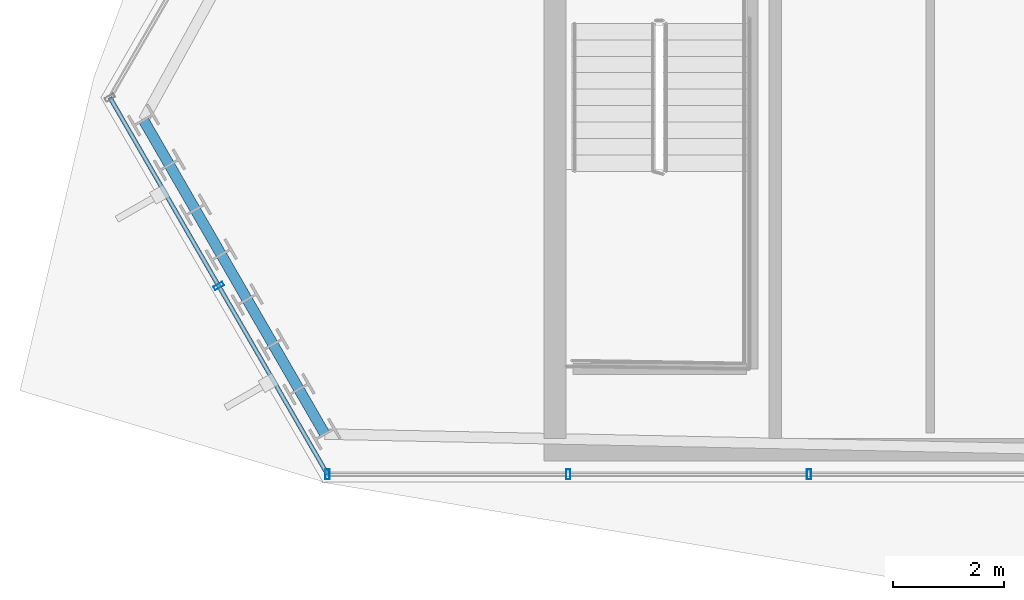
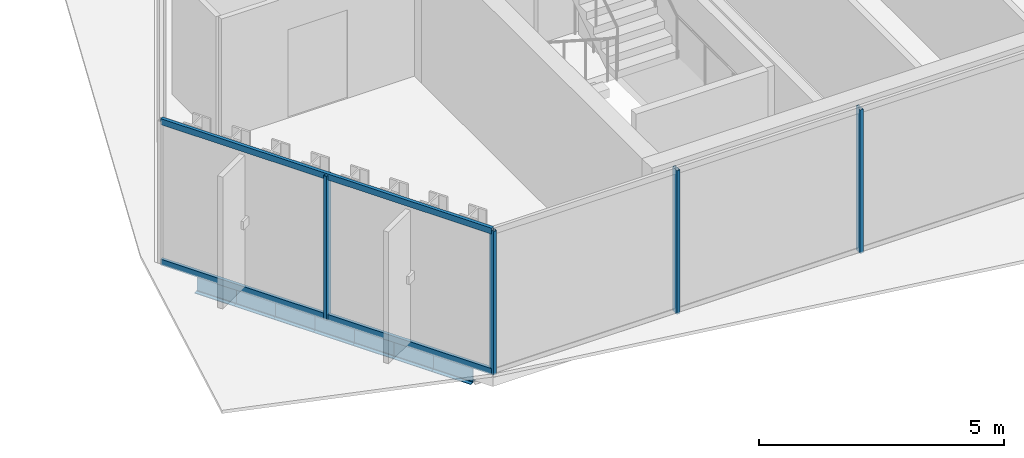
# One storey, part 2 of 37: 7 beams, 6 members, 2 elements without a shape of their own.
"""IFC4 building model written with IfcOpenShell, lengths in metres."""

from ifc_helpers import new_model, si_unit, direction, frame, origin, origin_2d, place, context, subcontext, project, spatial, hollow_rectangle, i_section, extrude, material, layer, layer_set, material_profile, profile_set, type_object, element, aggregate, save


model = new_model("IFC4")

# Units and contexts
model_context = context("Model", 3, precision=1e-05, world=origin(), true_north=direction((0.0, 1.0)))
body_context = subcontext(model_context, "Body", "Model", "MODEL_VIEW")
ifc_project = project(units=[si_unit("LENGTHUNIT", "METRE"), si_unit("AREAUNIT", "SQUARE_METRE"), si_unit("VOLUMEUNIT", "CUBIC_METRE"), si_unit("PLANEANGLEUNIT", "RADIAN"), si_unit("MASSUNIT", "GRAM", prefix="KILO")], contexts=[model_context])

# Site, building, storey
site_placement = place(None, origin())
site = spatial("IfcSite", under=ifc_project, at=site_placement, CompositionType="ELEMENT")
building_placement = place(site_placement, origin())
building = spatial("IfcBuilding", under=site, at=building_placement, Name="Ndaravel Arena Tower", CompositionType="ELEMENT")
storey_placement = place(building_placement, frame((0.0, 0.0, 218.0)))
storey = spatial("IfcBuildingStorey", under=building, at=storey_placement, Name="L52", CompositionType="ELEMENT", Elevation=218.0)

# Beams
ifc_material_1 = material(Name="Steel S355", Category="steel")
ifc_material_profile_1 = material_profile(ifc_material_1, i_section(OverallWidth=0.18994140625, OverallDepth=0.449951171875, WebThickness=0.009521484375, FlangeThickness=0.0146484375, FilletRadius=0.02099609375, at=origin_2d()), Name="IPE 450")
ifc_profile_set_1 = profile_set([ifc_material_profile_1], Name="Steel S355")
beam_type = type_object("IfcBeamType", Name="BM-SPAN-IPE450", PredefinedType="SPANDREL", material=ifc_profile_set_1)
beam_1_placement = place(storey_placement, frame((19.2666015625, 11.515869140625, -0.445068359375), z_axis=(0.499896791762, -0.866084982889, 0.0), x_axis=(0.866084982889, 0.499896791762, 0.0)))
element("IfcBeam", 1, at=beam_1_placement, inside=storey, type_object=beam_type, Name="L52 Perimeter Spandrel Beam SP-20", PredefinedType="SPANDREL", context=body_context, shape_type="SweptSolid", body=[
    extrude(i_section(OverallWidth=0.18994140625, OverallDepth=0.449951171875, WebThickness=0.009521484375, FlangeThickness=0.0146484375, FilletRadius=0.02099609375, at=origin_2d()), origin(), (0.0, 0.0, 1.0), 0.929443359375),
])
for number, where, z_axis, x_axis, name in (
    (2, (19.731201171875, 10.7109375, -0.445068359375), (0.500207565094, -0.865905532852, 0.0), (0.865905532852, 0.500207565094, 0.0), "L52 Perimeter Spandrel Beam SP-21"),
    (3, (20.196044921875, 9.90625, -0.445068359375), (0.500010545262, -0.866019315389, 0.0), (0.866019315389, 0.500010545262, 0.0), "L52 Perimeter Spandrel Beam SP-22"),
):
    element("IfcBeam", number, at=place(storey_placement, frame(where, z_axis=z_axis, x_axis=x_axis)), inside=storey, type_object=beam_type, Name=name, PredefinedType="SPANDREL", context=body_context, shape_type="SweptSolid", body=[
        extrude(i_section(OverallWidth=0.18994140625, OverallDepth=0.449951171875, WebThickness=0.009521484375, FlangeThickness=0.0146484375, FilletRadius=0.02099609375, at=origin_2d()), origin(), (0.0, 0.0, 1.0), 0.92919921875),
    ])
beam_2_placement = place(storey_placement, frame((20.66064453125, 9.1015625, -0.445068359375), z_axis=(0.499896791762, -0.866084982889, 0.0), x_axis=(0.866084982889, 0.499896791762, 0.0)))
element("IfcBeam", 4, at=beam_2_placement, inside=storey, type_object=beam_type, Name="L52 Perimeter Spandrel Beam SP-23", PredefinedType="SPANDREL", context=body_context, shape_type="SweptSolid", body=[
    extrude(i_section(OverallWidth=0.18994140625, OverallDepth=0.449951171875, WebThickness=0.009521484375, FlangeThickness=0.0146484375, FilletRadius=0.02099609375, at=origin_2d()), origin(), (0.0, 0.0, 1.0), 0.929443359375),
])
for number, where, z_axis, x_axis, name in (
    (5, (21.125244140625, 8.296630859375, -0.445068359375), (0.500010545262, -0.866019315389, 0.0), (0.866019315389, 0.500010545262, 0.0), "L52 Perimeter Spandrel Beam SP-24"),
    (6, (21.58984375, 7.491943359375, -0.445068359375), (0.500010545262, -0.866019315389, 0.0), (0.866019315389, 0.500010545262, 0.0), "L52 Perimeter Spandrel Beam SP-25"),
):
    element("IfcBeam", number, at=place(storey_placement, frame(where, z_axis=z_axis, x_axis=x_axis)), inside=storey, type_object=beam_type, Name=name, PredefinedType="SPANDREL", context=body_context, shape_type="SweptSolid", body=[
        extrude(i_section(OverallWidth=0.18994140625, OverallDepth=0.449951171875, WebThickness=0.009521484375, FlangeThickness=0.0146484375, FilletRadius=0.02099609375, at=origin_2d()), origin(), (0.0, 0.0, 1.0), 0.92919921875),
    ])
beam_3_placement = place(storey_placement, frame((22.054443359375, 6.687255859375, -0.445068359375), z_axis=(0.499896791762, -0.866084982889, 0.0), x_axis=(0.866084982889, 0.499896791762, 0.0)))
element("IfcBeam", 7, at=beam_3_placement, inside=storey, type_object=beam_type, Name="L52 Perimeter Spandrel Beam SP-26", PredefinedType="SPANDREL", context=body_context, shape_type="SweptSolid", body=[
    extrude(i_section(OverallWidth=0.18994140625, OverallDepth=0.449951171875, WebThickness=0.009521484375, FlangeThickness=0.0146484375, FilletRadius=0.02099609375, at=origin_2d()), origin(), (0.0, 0.0, 1.0), 0.929443359375),
])

# Curtain wall, members
ifc_material_2 = material(Name="Aluminium", Category="aluminium")
ifc_layer_1 = layer(ifc_material_2, 0.179931640625)
ifc_layer_set_1 = layer_set([ifc_layer_1], Name="Aluminium")
curtain_wall_type_1 = type_object("IfcCurtainWallType", Name="CW-SYS-03", PredefinedType="NOTDEFINED", material=ifc_layer_set_1)
curtain_wall_1_placement = place(storey_placement, origin())
curtain_wall_1 = element("IfcCurtainWall", 8, at=curtain_wall_1_placement, inside=storey, type_object=curtain_wall_type_1, Name="L52 Faceted Crystal Curtain Wall CW-L52-E01", PredefinedType="NOTDEFINED")
ifc_material_3 = material(Name="Aluminium", Category="aluminium")
ifc_material_profile_2 = material_profile(ifc_material_3, hollow_rectangle(XDim=0.074951171875, YDim=0.179931640625, WallThickness=0.00390625, at=origin_2d()), Name="CW MULLION 75x180x4")
ifc_profile_set_2 = profile_set([ifc_material_profile_2], Name="Aluminium")
member_type_1 = type_object("IfcMemberType", Name="MEM-CW-MUL180", PredefinedType="MULLION", material=ifc_profile_set_2)
member_1_placement = place(storey_placement, frame((22.566650390625, 5.159912109375, 0.0), z_axis=(0.0, 0.0, 1.0), x_axis=(1.0, 0.0, 0.0)))
member_1 = element("IfcMember", 9, at=member_1_placement, type_object=member_type_1, Name="CW-L52-E01 Mullion 00", PredefinedType="MULLION", context=body_context, shape_type="SweptSolid", body=[
    extrude(hollow_rectangle(XDim=0.074951171875, YDim=0.179931640625, WallThickness=0.00390625, at=origin_2d()), origin(), (0.0, 0.0, 1.0), 3.580078125),
])
member_2_placement = place(storey_placement, frame((26.88525390625, 5.159912109375, 0.0), z_axis=(0.0, 0.0, 1.0), x_axis=(1.0, 0.0, 0.0)))
member_2 = element("IfcMember", 10, at=member_2_placement, type_object=member_type_1, Name="CW-L52-E01 Mullion 01", PredefinedType="MULLION", context=body_context, shape_type="SweptSolid", body=[
    extrude(hollow_rectangle(XDim=0.074951171875, YDim=0.179931640625, WallThickness=0.00390625, at=origin_2d()), origin(), (0.0, 0.0, 1.0), 3.580078125),
])
member_3_placement = place(storey_placement, frame((31.20361328125, 5.159912109375, 0.0), z_axis=(0.0, 0.0, 1.0), x_axis=(1.0, 0.0, 0.0)))
member_3 = element("IfcMember", 11, at=member_3_placement, type_object=member_type_1, Name="CW-L52-E01 Mullion 02", PredefinedType="MULLION", context=body_context, shape_type="SweptSolid", body=[
    extrude(hollow_rectangle(XDim=0.074951171875, YDim=0.179931640625, WallThickness=0.00390625, at=origin_2d()), origin(), (0.0, 0.0, 1.0), 3.580078125),
])
aggregate(curtain_wall_1, [member_1, member_2, member_3])

ifc_material_4 = material(Name="Aluminium", Category="aluminium")
ifc_layer_2 = layer(ifc_material_4, 0.179931640625)
ifc_layer_set_2 = layer_set([ifc_layer_2], Name="Aluminium")
curtain_wall_type_2 = type_object("IfcCurtainWallType", Name="CW-SYS-02", PredefinedType="NOTDEFINED", material=ifc_layer_set_2)
curtain_wall_2_placement = place(storey_placement, origin())
curtain_wall_2 = element("IfcCurtainWall", 12, at=curtain_wall_2_placement, inside=storey, type_object=curtain_wall_type_2, Name="L52 Faceted Crystal Curtain Wall CW-L52-E06", PredefinedType="NOTDEFINED")
member_4_placement = place(storey_placement, frame((20.61572265625, 8.5390625, 0.0), z_axis=(0.0, 0.0, 1.0), x_axis=(0.5, -0.866025403784, 0.0)))
member_4 = element("IfcMember", 13, at=member_4_placement, type_object=member_type_1, Name="CW-L52-E06 Mullion 01", PredefinedType="MULLION", context=body_context, shape_type="SweptSolid", body=[
    extrude(hollow_rectangle(XDim=0.074951171875, YDim=0.179931640625, WallThickness=0.00390625, at=origin_2d()), origin(), (0.0, 0.0, 1.0), 3.580078125),
])
ifc_material_5 = material(Name="Aluminium", Category="aluminium")
ifc_material_profile_3 = material_profile(ifc_material_5, hollow_rectangle(XDim=0.074951171875, YDim=0.14990234375, WallThickness=0.00390625, at=origin_2d()), Name="CW TRANSOM 75x150x4")
ifc_profile_set_3 = profile_set([ifc_material_profile_3], Name="Aluminium")
member_type_2 = type_object("IfcMemberType", Name="MEM-CW-TRN150", PredefinedType="USERDEFINED", material=ifc_profile_set_3)
member_5_placement = place(storey_placement, frame((18.664794921875, 11.918212890625, 0.0400390625), z_axis=(0.499995069063, -0.866028250644, 0.0), x_axis=(0.866028250644, 0.499995069063, 0.0)))
member_5 = element("IfcMember", 14, at=member_5_placement, type_object=member_type_2, Name="CW-L52-E06 Transom 01", ObjectType="TRANSOM", PredefinedType="USERDEFINED", context=body_context, shape_type="SweptSolid", body=[
    extrude(hollow_rectangle(XDim=0.074951171875, YDim=0.14990234375, WallThickness=0.00390625, at=origin_2d()), origin(), (0.0, 0.0, 1.0), 7.8037109375),
])
member_6_placement = place(storey_placement, frame((18.664794921875, 11.918212890625, 3.5400390625), z_axis=(0.499995069063, -0.866028250644, 0.0), x_axis=(0.866028250644, 0.499995069063, 0.0)))
member_6 = element("IfcMember", 15, at=member_6_placement, type_object=member_type_2, Name="CW-L52-E06 Transom 02", ObjectType="TRANSOM", PredefinedType="USERDEFINED", context=body_context, shape_type="SweptSolid", body=[
    extrude(hollow_rectangle(XDim=0.074951171875, YDim=0.14990234375, WallThickness=0.00390625, at=origin_2d()), origin(), (0.0, 0.0, 1.0), 7.8037109375),
])
aggregate(curtain_wall_2, [member_4, member_5, member_6])

save(model, "model.ifc")
